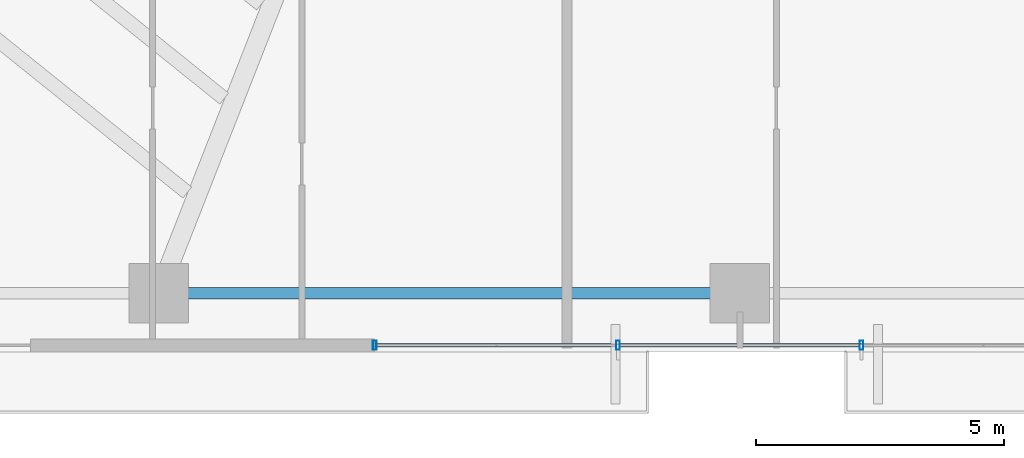
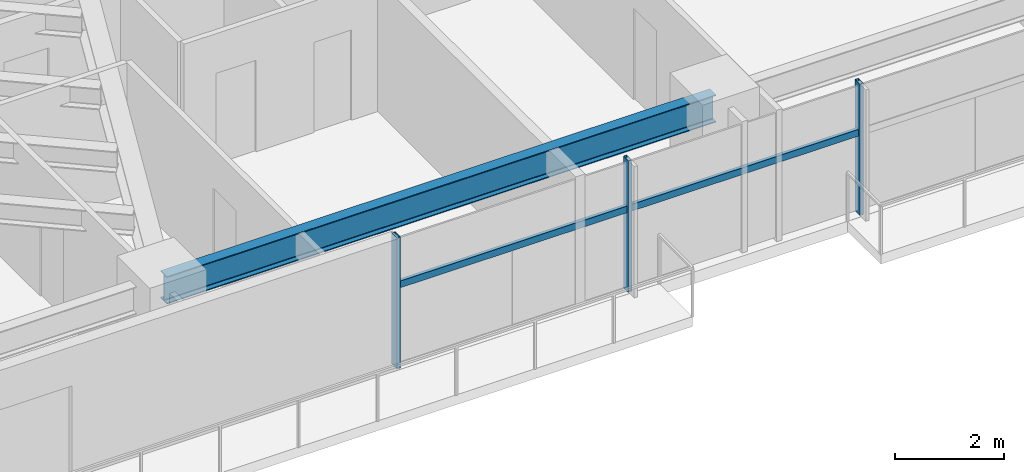
# One storey, part 6 of 25: 5 members, 1 beam, 1 element without a shape of its own.
"""IFC4 building model written with IfcOpenShell, lengths in metres."""

from ifc_helpers import new_model, si_unit, direction, frame, origin, origin_2d, place, context, subcontext, project, spatial, hollow_rectangle, i_section, extrude, source, transform, mapped, material, material_profile, profile_set, type_object, type_shapes, element, aggregate, save


model = new_model("IFC4")

# Units and contexts
model_context = context("Model", 3, precision=1e-05, world=origin(), true_north=direction((0.0, 1.0)))
body_context = subcontext(model_context, "Body", "Model", "MODEL_VIEW")
ifc_project = project(units=[si_unit("LENGTHUNIT", "METRE"), si_unit("AREAUNIT", "SQUARE_METRE"), si_unit("VOLUMEUNIT", "CUBIC_METRE"), si_unit("PLANEANGLEUNIT", "RADIAN"), si_unit("MASSUNIT", "GRAM", prefix="KILO")], contexts=[model_context])

# Site, building, storey
site_placement = place(None, origin())
site = spatial("IfcSite", under=ifc_project, at=site_placement, CompositionType="ELEMENT")
building_placement = place(site_placement, origin())
building = spatial("IfcBuilding", under=site, at=building_placement, Name="Astriad Promenade Condominiums", CompositionType="ELEMENT")
storey_placement = place(building_placement, frame((0.0, 0.0, 51.800048828125)))
storey = spatial("IfcBuildingStorey", under=building, at=storey_placement, Name="L14", CompositionType="ELEMENT", Elevation=51.800048828125)

# Beam
ifc_material_1 = material(Name="Steel ASTM A992 Grade 50", Category="steel")
ifc_material_profile_1 = material_profile(ifc_material_1, i_section(OverallWidth=0.22900390625, OverallDepth=0.612060546875, WebThickness=0.011962890625, FlangeThickness=0.01953125, FilletRadius=0.017822265625, at=origin_2d()), Name="W24X84")
ifc_profile_set_1 = profile_set([ifc_material_profile_1], Name="Steel ASTM A992 Grade 50")
beam_type = type_object("IfcBeamType", Name="STEEL SPANDREL BEAM W24X84", PredefinedType="SPANDREL", material=ifc_profile_set_1)
shared_shape_1 = source(origin(), body_context, "Body", "SweptSolid", [
    extrude(i_section(OverallWidth=0.22900390625, OverallDepth=0.612060546875, WebThickness=0.011962890625, FlangeThickness=0.01953125, FilletRadius=0.017822265625, at=origin_2d()), origin(), (0.0, 0.0, 1.0), 11.6201171875),
])
type_shapes(beam_type, [shared_shape_1])
beam_placement = place(storey_placement, frame((21.139892578125, 3.8798828125, 2.634033203125), z_axis=(1.0, 0.0, 0.0), x_axis=(0.0, 1.0, 0.0)))
element("IfcBeam", 1, at=beam_placement, inside=storey, type_object=beam_type, Name="Perimeter Spandrel Beam SP-S2-L14", PredefinedType="SPANDREL", context=body_context, shape_type="MappedRepresentation", body=[
    mapped(shared_shape_1, transform((0.0, 0.0, 0.0), scale=1.0)),
])

# Curtain wall, members
ifc_material_2 = material(Name="Anodised aluminium Black Dark Glass Unitised", Category="aluminium")
curtain_wall_type = type_object("IfcCurtainWallType", Name="CW-B1-DARK", PredefinedType="USERDEFINED", material=ifc_material_2)
curtain_wall_placement = place(storey_placement, origin())
curtain_wall = element("IfcCurtainWall", 2, at=curtain_wall_placement, inside=storey, type_object=curtain_wall_type, Name="CW-L14-S", ObjectType="UNITISED_CURTAIN_WALL", PredefinedType="USERDEFINED")
ifc_material_3 = material(Name="Anodised aluminium 6063-T6 Black", Category="aluminium")
ifc_material_profile_2 = material_profile(ifc_material_3, hollow_rectangle(XDim=0.074951171875, YDim=0.18505859375, WallThickness=0.00439453125, at=origin_2d()), Name="ALU-MUL-75X185")
ifc_profile_set_2 = profile_set([ifc_material_profile_2], Name="Anodised aluminium 6063-T6 Black")
member_type_1 = type_object("IfcMemberType", Name="MUL-ALU-MUL-75X185", PredefinedType="MULLION", material=ifc_profile_set_2)
shared_shape_2 = source(origin(), body_context, "Body", "SweptSolid", [
    extrude(hollow_rectangle(XDim=0.074951171875, YDim=0.18505859375, WallThickness=0.00439453125, at=origin_2d()), origin(), (0.0, 0.0, 1.0), 2.93994140625),
])
type_shapes(member_type_1, [shared_shape_2])
member_1_placement = place(storey_placement, frame((35.25, 2.830078125, 0.0), z_axis=(0.0, 0.0, 1.0), x_axis=(1.0, 0.0, 0.0)))
member_1 = element("IfcMember", 3, at=member_1_placement, type_object=member_type_1, Name="CW-L14-S-MUL-01", PredefinedType="MULLION", context=body_context, shape_type="MappedRepresentation", body=[
    mapped(shared_shape_2, transform((0.0, 0.0, 0.0), scale=1.0)),
])
member_2_placement = place(storey_placement, frame((30.35009765625, 2.830078125, 0.0), z_axis=(0.0, 0.0, 1.0), x_axis=(1.0, 0.0, 0.0)))
member_2 = element("IfcMember", 4, at=member_2_placement, type_object=member_type_1, Name="CW-L14-S-MUL-02", PredefinedType="MULLION", context=body_context, shape_type="MappedRepresentation", body=[
    mapped(shared_shape_2, transform((0.0, 0.0, 0.0), scale=1.0)),
])
member_3_placement = place(storey_placement, frame((25.449951171875, 2.830078125, 0.0), z_axis=(0.0, 0.0, 1.0), x_axis=(1.0, 0.0, 0.0)))
member_3 = element("IfcMember", 5, at=member_3_placement, type_object=member_type_1, Name="CW-L14-S-MUL-03", PredefinedType="MULLION", context=body_context, shape_type="MappedRepresentation", body=[
    mapped(shared_shape_2, transform((0.0, 0.0, 0.0), scale=1.0)),
])
ifc_material_profile_3 = material_profile(ifc_material_3, hollow_rectangle(XDim=0.074951171875, YDim=0.14990234375, WallThickness=0.004150390625, at=origin_2d()), Name="ALU-TRN-75X150")
ifc_profile_set_3 = profile_set([ifc_material_profile_3], Name="Anodised aluminium 6063-T6 Black")
member_type_2 = type_object("IfcMemberType", Name="TRN-ALU-TRN-75X150", PredefinedType="USERDEFINED", material=ifc_profile_set_3)
shared_shape_3 = source(origin(), body_context, "Body", "SweptSolid", [
    extrude(hollow_rectangle(XDim=0.074951171875, YDim=0.14990234375, WallThickness=0.004150390625, at=origin_2d()), origin(), (0.0, 0.0, 1.0), 4.900146484375),
])
member_4_placement = place(storey_placement, frame((30.35009765625, 2.830078125, 1.82275390625), z_axis=(-1.0, 0.0, 0.0), x_axis=(0.0, -1.0, 0.0)))
member_4 = element("IfcMember", 6, at=member_4_placement, type_object=member_type_2, Name="CW-L14-S-TRN-02-0", ObjectType="TRANSOM", PredefinedType="USERDEFINED", context=body_context, shape_type="MappedRepresentation", body=[
    mapped(shared_shape_3, transform((0.0, 0.0, 0.0), scale=1.0)),
])
shared_shape_4 = source(origin(), body_context, "Body", "SweptSolid", [
    extrude(hollow_rectangle(XDim=0.074951171875, YDim=0.14990234375, WallThickness=0.004150390625, at=origin_2d()), origin(), (0.0, 0.0, 1.0), 4.89990234375),
])
type_shapes(member_type_2, [shared_shape_3, shared_shape_4])
member_5_placement = place(storey_placement, frame((35.25, 2.830078125, 1.82275390625), z_axis=(-1.0, 0.0, 0.0), x_axis=(0.0, -1.0, 0.0)))
member_5 = element("IfcMember", 7, at=member_5_placement, type_object=member_type_2, Name="CW-L14-S-TRN-01-0", ObjectType="TRANSOM", PredefinedType="USERDEFINED", context=body_context, shape_type="MappedRepresentation", body=[
    mapped(shared_shape_4, transform((0.0, 0.0, 0.0), scale=1.0)),
])
aggregate(curtain_wall, [member_1, member_2, member_3, member_5, member_4])

save(model, "model.ifc")
